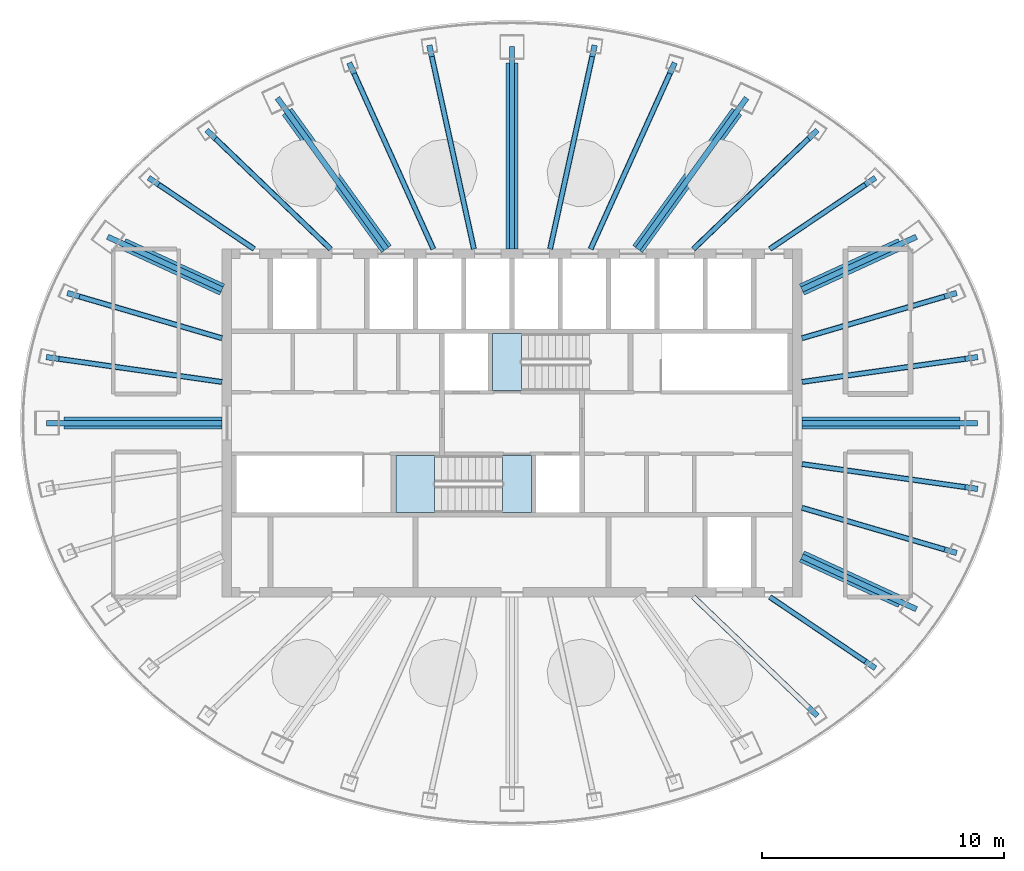
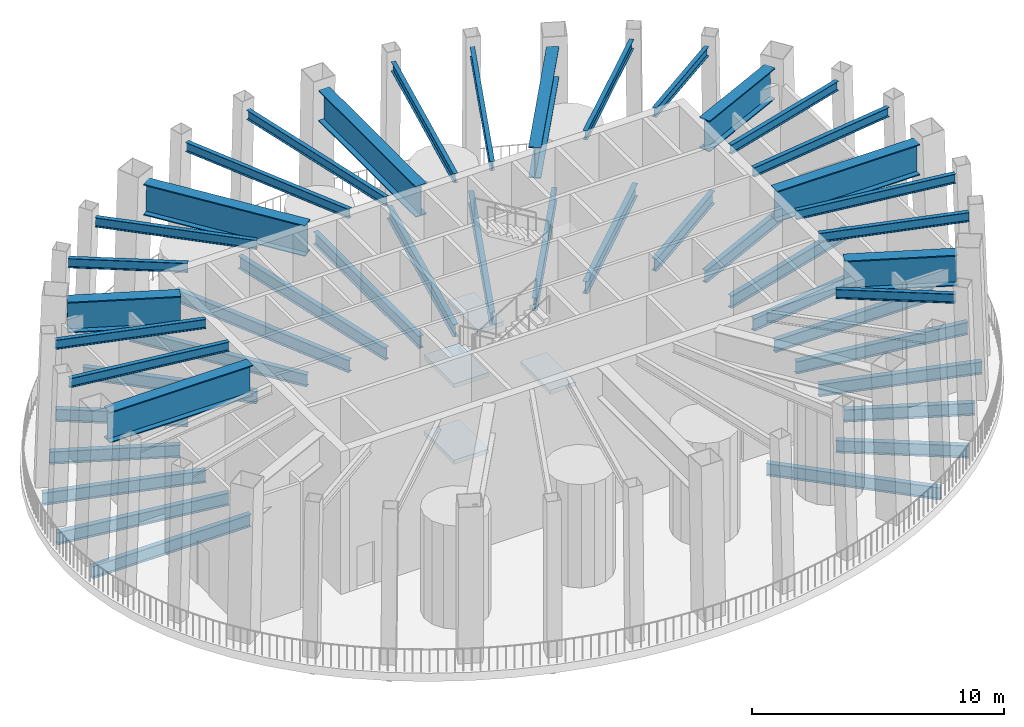
# One storey, part 2 of 12: 47 beams, 4 slabs, 2 elements without a shape of their own.
"""IFC4 building model written with IfcOpenShell, lengths in metres."""

from ifc_helpers import new_model, si_unit, direction, frame, origin, origin_2d, place, context, subcontext, project, spatial, polyline, i_section, outline, extrude, material, layer, layer_set, material_profile, profile_set, type_object, element, aggregate, save


model = new_model("IFC4")

# Units and contexts
model_context = context("Model", 3, precision=1e-05, world=origin(), true_north=direction((0.0, 1.0)))
body_context = subcontext(model_context, "Body", "Model", "MODEL_VIEW")
ifc_project = project(units=[si_unit("LENGTHUNIT", "METRE"), si_unit("AREAUNIT", "SQUARE_METRE"), si_unit("VOLUMEUNIT", "CUBIC_METRE"), si_unit("PLANEANGLEUNIT", "RADIAN"), si_unit("MASSUNIT", "GRAM", prefix="KILO")], contexts=[model_context])

# Site, building, storey
site_placement = place(None, origin())
site = spatial("IfcSite", under=ifc_project, at=site_placement, CompositionType="ELEMENT")
building_placement = place(site_placement, origin())
building = spatial("IfcBuilding", under=site, at=building_placement, Name="Siaravel Broadcast Tower", CompositionType="ELEMENT")
storey_placement = place(building_placement, frame((0.0, 0.0, 265.199951171875)))
storey = spatial("IfcBuildingStorey", under=building, at=storey_placement, Name="L65", CompositionType="ELEMENT", Elevation=265.199951171875)

# Beams
ifc_material_1 = material(Name="Steel S355", Category="steel")
ifc_material_profile_1 = material_profile(ifc_material_1, i_section(OverallWidth=0.2275390625, OverallDepth=0.6025390625, WebThickness=0.010498046875, FlangeThickness=0.014892578125, FilletRadius=0.0126953125, at=origin_2d()))
ifc_profile_set_1 = profile_set([ifc_material_profile_1], Name="Steel S355")
beam_type_1 = type_object("IfcBeamType", Name="BM-UB 610x229x101", PredefinedType="BEAM", material=ifc_profile_set_1)
beam_1_placement = place(storey_placement, frame((19.263427734375, 0.0, -0.701171875), z_axis=(-1.0, 0.0, 0.0), x_axis=(0.0, -1.0, 0.0)))
element("IfcBeam", 1, at=beam_1_placement, inside=storey, type_object=beam_type_1, Name="Radial beam RB01", PredefinedType="BEAM", context=body_context, shape_type="SweptSolid", body=[
    extrude(i_section(OverallWidth=0.2275390625, OverallDepth=0.6025390625, WebThickness=0.010498046875, FlangeThickness=0.014892578125, FilletRadius=0.0126953125, at=origin_2d()), origin(), (0.0, 0.0, 1.0), 7.263427734375),
])
beam_2_placement = place(storey_placement, frame((19.27197265625, 2.72802734375, -0.701171875), z_axis=(-0.990130836, -0.140146096, 0.0), x_axis=(0.140146096, -0.990130836, 0.0)))
element("IfcBeam", 2, at=beam_2_placement, inside=storey, type_object=beam_type_1, Name="Radial beam RB02", PredefinedType="BEAM", context=body_context, shape_type="SweptSolid", body=[
    extrude(i_section(OverallWidth=0.2275390625, OverallDepth=0.6025390625, WebThickness=0.010498046875, FlangeThickness=0.014892578125, FilletRadius=0.0126953125, at=origin_2d()), origin(), (0.0, 0.0, 1.0), 7.344482421875),
])
beam_3_placement = place(storey_placement, frame((18.404296875, 5.3798828125, -0.701171875), z_axis=(-0.959832627, -0.280573215, 0.0), x_axis=(0.280573215, -0.959832627, 0.0)))
element("IfcBeam", 3, at=beam_3_placement, inside=storey, type_object=beam_type_1, Name="Radial beam RB03", PredefinedType="BEAM", context=body_context, shape_type="SweptSolid", body=[
    extrude(i_section(OverallWidth=0.2275390625, OverallDepth=0.6025390625, WebThickness=0.010498046875, FlangeThickness=0.014892578125, FilletRadius=0.0126953125, at=origin_2d()), origin(), (0.0, 0.0, 1.0), 6.67236328125),
])
beam_4_placement = place(storey_placement, frame((16.736083984375, 7.706298828125, -0.701171875), z_axis=(-0.908322208, -0.418271163, 0.0), x_axis=(0.418271163, -0.908322208, 0.0)))
element("IfcBeam", 4, at=beam_4_placement, inside=storey, type_object=beam_type_1, Name="Radial beam RB04", PredefinedType="BEAM", context=body_context, shape_type="SweptSolid", body=[
    extrude(i_section(OverallWidth=0.2275390625, OverallDepth=0.6025390625, WebThickness=0.010498046875, FlangeThickness=0.014892578125, FilletRadius=0.0126953125, at=origin_2d()), origin(), (0.0, 0.0, 1.0), 5.214111328125),
])
beam_5_placement = place(storey_placement, frame((15.04052734375, 10.149169921875, -0.701171875), z_axis=(-0.828931332, -0.559350379, 0.0), x_axis=(0.559350379, -0.828931332, 0.0)))
element("IfcBeam", 5, at=beam_5_placement, inside=storey, type_object=beam_type_1, Name="Radial beam RB05", PredefinedType="BEAM", context=body_context, shape_type="SweptSolid", body=[
    extrude(i_section(OverallWidth=0.2275390625, OverallDepth=0.6025390625, WebThickness=0.010498046875, FlangeThickness=0.014892578125, FilletRadius=0.0126953125, at=origin_2d()), origin(), (0.0, 0.0, 1.0), 5.2724609375),
])
beam_6_placement = place(storey_placement, frame((12.63623046875, 12.118408203125, -0.701171875), z_axis=(-0.72172641, -0.692178437, 0.0), x_axis=(0.692178437, -0.72172641, 0.0)))
element("IfcBeam", 6, at=beam_6_placement, inside=storey, type_object=beam_type_1, Name="Radial beam RB06", PredefinedType="BEAM", context=body_context, shape_type="SweptSolid", body=[
    extrude(i_section(OverallWidth=0.2275390625, OverallDepth=0.6025390625, WebThickness=0.010498046875, FlangeThickness=0.014892578125, FilletRadius=0.0126953125, at=origin_2d()), origin(), (0.0, 0.0, 1.0), 7.105712890625),
])
beam_7_placement = place(storey_placement, frame((9.71142578125, 13.450927734375, -0.701171875), z_axis=(-0.585349492, -0.810781087, 0.0), x_axis=(0.810781087, -0.585349492, 0.0)))
element("IfcBeam", 7, at=beam_7_placement, inside=storey, type_object=beam_type_1, Name="Radial beam RB07", PredefinedType="BEAM", context=body_context, shape_type="SweptSolid", body=[
    extrude(i_section(OverallWidth=0.2275390625, OverallDepth=0.6025390625, WebThickness=0.010498046875, FlangeThickness=0.014892578125, FilletRadius=0.0126953125, at=origin_2d()), origin(), (0.0, 0.0, 1.0), 7.709716796875),
])
beam_8_placement = place(storey_placement, frame((6.736083984375, 14.907470703125, -0.701171875), z_axis=(-0.411768466, -0.9112885, 0.0), x_axis=(0.9112885, -0.411768466, 0.0)))
element("IfcBeam", 8, at=beam_8_placement, inside=storey, type_object=beam_type_1, Name="Radial beam RB08", PredefinedType="BEAM", context=body_context, shape_type="SweptSolid", body=[
    extrude(i_section(OverallWidth=0.2275390625, OverallDepth=0.6025390625, WebThickness=0.010498046875, FlangeThickness=0.014892578125, FilletRadius=0.0126953125, at=origin_2d()), origin(), (0.0, 0.0, 1.0), 8.457763671875),
])
beam_9_placement = place(storey_placement, frame((3.421630859375, 15.634765625, -0.701171875), z_axis=(-0.213788792, -0.976879907, 0.0), x_axis=(0.976879907, -0.213788792, 0.0)))
element("IfcBeam", 9, at=beam_9_placement, inside=storey, type_object=beam_type_1, Name="Radial beam RB09", PredefinedType="BEAM", context=body_context, shape_type="SweptSolid", body=[
    extrude(i_section(OverallWidth=0.2275390625, OverallDepth=0.6025390625, WebThickness=0.010498046875, FlangeThickness=0.014892578125, FilletRadius=0.0126953125, at=origin_2d()), origin(), (0.0, 0.0, 1.0), 8.634521484375),
])
beam_10_placement = place(storey_placement, frame((0.0, 15.580078125, -0.701171875), z_axis=(0.0, -1.0, 0.0), x_axis=(1.0, 0.0, 0.0)))
element("IfcBeam", 10, at=beam_10_placement, inside=storey, type_object=beam_type_1, Name="Radial beam RB10", PredefinedType="BEAM", context=body_context, shape_type="SweptSolid", body=[
    extrude(i_section(OverallWidth=0.2275390625, OverallDepth=0.6025390625, WebThickness=0.010498046875, FlangeThickness=0.014892578125, FilletRadius=0.0126953125, at=origin_2d()), origin(), (0.0, 0.0, 1.0), 8.380126953125),
])
beam_11_placement = place(storey_placement, frame((-3.421630859375, 15.634765625, -0.701171875), z_axis=(0.213788792, -0.976879907, 0.0), x_axis=(0.976879907, 0.213788792, 0.0)))
element("IfcBeam", 11, at=beam_11_placement, inside=storey, type_object=beam_type_1, Name="Radial beam RB11", PredefinedType="BEAM", context=body_context, shape_type="SweptSolid", body=[
    extrude(i_section(OverallWidth=0.2275390625, OverallDepth=0.6025390625, WebThickness=0.010498046875, FlangeThickness=0.014892578125, FilletRadius=0.0126953125, at=origin_2d()), origin(), (0.0, 0.0, 1.0), 8.634521484375),
])
beam_12_placement = place(storey_placement, frame((-6.736083984375, 14.907470703125, -0.701171875), z_axis=(0.411768466, -0.9112885, 0.0), x_axis=(0.9112885, 0.411768466, 0.0)))
element("IfcBeam", 12, at=beam_12_placement, inside=storey, type_object=beam_type_1, Name="Radial beam RB12", PredefinedType="BEAM", context=body_context, shape_type="SweptSolid", body=[
    extrude(i_section(OverallWidth=0.2275390625, OverallDepth=0.6025390625, WebThickness=0.010498046875, FlangeThickness=0.014892578125, FilletRadius=0.0126953125, at=origin_2d()), origin(), (0.0, 0.0, 1.0), 8.457763671875),
])
beam_13_placement = place(storey_placement, frame((-9.71142578125, 13.450927734375, -0.701171875), z_axis=(0.585349492, -0.810781087, 0.0), x_axis=(0.810781087, 0.585349492, 0.0)))
element("IfcBeam", 13, at=beam_13_placement, inside=storey, type_object=beam_type_1, Name="Radial beam RB13", PredefinedType="BEAM", context=body_context, shape_type="SweptSolid", body=[
    extrude(i_section(OverallWidth=0.2275390625, OverallDepth=0.6025390625, WebThickness=0.010498046875, FlangeThickness=0.014892578125, FilletRadius=0.0126953125, at=origin_2d()), origin(), (0.0, 0.0, 1.0), 7.709716796875),
])
beam_14_placement = place(storey_placement, frame((-12.63623046875, 12.118408203125, -0.701171875), z_axis=(0.72172641, -0.692178437, 0.0), x_axis=(0.692178437, 0.72172641, 0.0)))
element("IfcBeam", 14, at=beam_14_placement, inside=storey, type_object=beam_type_1, Name="Radial beam RB14", PredefinedType="BEAM", context=body_context, shape_type="SweptSolid", body=[
    extrude(i_section(OverallWidth=0.2275390625, OverallDepth=0.6025390625, WebThickness=0.010498046875, FlangeThickness=0.014892578125, FilletRadius=0.0126953125, at=origin_2d()), origin(), (0.0, 0.0, 1.0), 7.105712890625),
])
beam_15_placement = place(storey_placement, frame((-15.04052734375, 10.149169921875, -0.701171875), z_axis=(0.828931332, -0.559350379, 0.0), x_axis=(0.559350379, 0.828931332, 0.0)))
element("IfcBeam", 15, at=beam_15_placement, inside=storey, type_object=beam_type_1, Name="Radial beam RB15", PredefinedType="BEAM", context=body_context, shape_type="SweptSolid", body=[
    extrude(i_section(OverallWidth=0.2275390625, OverallDepth=0.6025390625, WebThickness=0.010498046875, FlangeThickness=0.014892578125, FilletRadius=0.0126953125, at=origin_2d()), origin(), (0.0, 0.0, 1.0), 5.2724609375),
])
beam_16_placement = place(storey_placement, frame((-16.736083984375, 7.706298828125, -0.701171875), z_axis=(0.908322208, -0.418271163, 0.0), x_axis=(0.418271163, 0.908322208, 0.0)))
element("IfcBeam", 16, at=beam_16_placement, inside=storey, type_object=beam_type_1, Name="Radial beam RB16", PredefinedType="BEAM", context=body_context, shape_type="SweptSolid", body=[
    extrude(i_section(OverallWidth=0.2275390625, OverallDepth=0.6025390625, WebThickness=0.010498046875, FlangeThickness=0.014892578125, FilletRadius=0.0126953125, at=origin_2d()), origin(), (0.0, 0.0, 1.0), 5.214111328125),
])
beam_17_placement = place(storey_placement, frame((-18.404296875, 5.3798828125, -0.701171875), z_axis=(0.959832627, -0.280573215, 0.0), x_axis=(0.280573215, 0.959832627, 0.0)))
element("IfcBeam", 17, at=beam_17_placement, inside=storey, type_object=beam_type_1, Name="Radial beam RB17", PredefinedType="BEAM", context=body_context, shape_type="SweptSolid", body=[
    extrude(i_section(OverallWidth=0.2275390625, OverallDepth=0.6025390625, WebThickness=0.010498046875, FlangeThickness=0.014892578125, FilletRadius=0.0126953125, at=origin_2d()), origin(), (0.0, 0.0, 1.0), 6.67236328125),
])
beam_18_placement = place(storey_placement, frame((-19.27197265625, 2.72802734375, -0.701171875), z_axis=(0.990130836, -0.140146096, 0.0), x_axis=(0.140146096, 0.990130836, 0.0)))
element("IfcBeam", 18, at=beam_18_placement, inside=storey, type_object=beam_type_1, Name="Radial beam RB18", PredefinedType="BEAM", context=body_context, shape_type="SweptSolid", body=[
    extrude(i_section(OverallWidth=0.2275390625, OverallDepth=0.6025390625, WebThickness=0.010498046875, FlangeThickness=0.014892578125, FilletRadius=0.0126953125, at=origin_2d()), origin(), (0.0, 0.0, 1.0), 7.344482421875),
])
beam_19_placement = place(storey_placement, frame((-19.263427734375, 0.0, -0.701171875), z_axis=(1.0, 0.0, 0.0), x_axis=(0.0, 1.0, 0.0)))
element("IfcBeam", 19, at=beam_19_placement, inside=storey, type_object=beam_type_1, Name="Radial beam RB19", PredefinedType="BEAM", context=body_context, shape_type="SweptSolid", body=[
    extrude(i_section(OverallWidth=0.2275390625, OverallDepth=0.6025390625, WebThickness=0.010498046875, FlangeThickness=0.014892578125, FilletRadius=0.0126953125, at=origin_2d()), origin(), (0.0, 0.0, 1.0), 7.263427734375),
])
beam_20_placement = place(storey_placement, frame((12.63623046875, -12.118408203125, -0.701171875), z_axis=(-0.72172641, 0.692178437, 0.0), x_axis=(-0.692178437, -0.72172641, 0.0)))
element("IfcBeam", 20, at=beam_20_placement, inside=storey, type_object=beam_type_1, Name="Radial beam RB32", PredefinedType="BEAM", context=body_context, shape_type="SweptSolid", body=[
    extrude(i_section(OverallWidth=0.2275390625, OverallDepth=0.6025390625, WebThickness=0.010498046875, FlangeThickness=0.014892578125, FilletRadius=0.0126953125, at=origin_2d()), origin(), (0.0, 0.0, 1.0), 7.105712890625),
])
beam_21_placement = place(storey_placement, frame((15.04052734375, -10.149169921875, -0.701171875), z_axis=(-0.828931332, 0.559350379, 0.0), x_axis=(-0.559350379, -0.828931332, 0.0)))
element("IfcBeam", 21, at=beam_21_placement, inside=storey, type_object=beam_type_1, Name="Radial beam RB33", PredefinedType="BEAM", context=body_context, shape_type="SweptSolid", body=[
    extrude(i_section(OverallWidth=0.2275390625, OverallDepth=0.6025390625, WebThickness=0.010498046875, FlangeThickness=0.014892578125, FilletRadius=0.0126953125, at=origin_2d()), origin(), (0.0, 0.0, 1.0), 5.2724609375),
])
beam_22_placement = place(storey_placement, frame((16.736083984375, -7.706298828125, -0.701171875), z_axis=(-0.908322208, 0.418271163, 0.0), x_axis=(-0.418271163, -0.908322208, 0.0)))
element("IfcBeam", 22, at=beam_22_placement, inside=storey, type_object=beam_type_1, Name="Radial beam RB34", PredefinedType="BEAM", context=body_context, shape_type="SweptSolid", body=[
    extrude(i_section(OverallWidth=0.2275390625, OverallDepth=0.6025390625, WebThickness=0.010498046875, FlangeThickness=0.014892578125, FilletRadius=0.0126953125, at=origin_2d()), origin(), (0.0, 0.0, 1.0), 5.214111328125),
])
beam_23_placement = place(storey_placement, frame((18.404296875, -5.3798828125, -0.701171875), z_axis=(-0.959832627, 0.280573215, 0.0), x_axis=(-0.280573215, -0.959832627, 0.0)))
element("IfcBeam", 23, at=beam_23_placement, inside=storey, type_object=beam_type_1, Name="Radial beam RB35", PredefinedType="BEAM", context=body_context, shape_type="SweptSolid", body=[
    extrude(i_section(OverallWidth=0.2275390625, OverallDepth=0.6025390625, WebThickness=0.010498046875, FlangeThickness=0.014892578125, FilletRadius=0.0126953125, at=origin_2d()), origin(), (0.0, 0.0, 1.0), 6.67236328125),
])
beam_24_placement = place(storey_placement, frame((19.27197265625, -2.72802734375, -0.701171875), z_axis=(-0.990130836, 0.140146096, 0.0), x_axis=(-0.140146096, -0.990130836, 0.0)))
element("IfcBeam", 24, at=beam_24_placement, inside=storey, type_object=beam_type_1, Name="Radial beam RB36", PredefinedType="BEAM", context=body_context, shape_type="SweptSolid", body=[
    extrude(i_section(OverallWidth=0.2275390625, OverallDepth=0.6025390625, WebThickness=0.010498046875, FlangeThickness=0.014892578125, FilletRadius=0.0126953125, at=origin_2d()), origin(), (0.0, 0.0, 1.0), 7.344482421875),
])
ifc_material_profile_2 = material_profile(ifc_material_1, i_section(OverallWidth=0.18994140625, OverallDepth=0.453369140625, WebThickness=0.008544921875, FlangeThickness=0.0126953125, FilletRadius=0.01025390625, at=origin_2d()))
ifc_profile_set_2 = profile_set([ifc_material_profile_2], Name="Steel S355")
beam_type_2 = type_object("IfcBeamType", Name="Crown radial beam UB 457x191x67", PredefinedType="BEAM", material=ifc_profile_set_2)
beam_25_placement = place(storey_placement, frame((18.75244140625, 2.65380859375, 6.67333984375), z_axis=(-0.990134792, -0.140118142, 0.0), x_axis=(0.140118142, -0.990134792, 0.0)))
element("IfcBeam", 25, at=beam_25_placement, inside=storey, type_object=beam_type_2, Name="Terrace radial beam 02", PredefinedType="BEAM", context=body_context, shape_type="SweptSolid", body=[
    extrude(i_section(OverallWidth=0.18994140625, OverallDepth=0.453369140625, WebThickness=0.008544921875, FlangeThickness=0.0126953125, FilletRadius=0.01025390625, at=origin_2d()), origin(), (0.0, 0.0, 1.0), 6.81982421875),
])
beam_26_placement = place(storey_placement, frame((17.904541015625, 5.232666015625, 6.67333984375), z_axis=(-0.959850065, -0.280513552, 0.0), x_axis=(0.280513552, -0.959850065, 0.0)))
element("IfcBeam", 26, at=beam_26_placement, inside=storey, type_object=beam_type_2, Name="Terrace radial beam 03", PredefinedType="BEAM", context=body_context, shape_type="SweptSolid", body=[
    extrude(i_section(OverallWidth=0.18994140625, OverallDepth=0.453369140625, WebThickness=0.008544921875, FlangeThickness=0.0126953125, FilletRadius=0.01025390625, at=origin_2d()), origin(), (0.0, 0.0, 1.0), 6.151611328125),
])
beam_27_placement = place(storey_placement, frame((14.62060546875, 9.86328125, 6.67333984375), z_axis=(-0.829001381, -0.559246556, 0.0), x_axis=(0.559246556, -0.829001381, 0.0)))
element("IfcBeam", 27, at=beam_27_placement, inside=storey, type_object=beam_type_2, Name="Terrace radial beam 05", PredefinedType="BEAM", context=body_context, shape_type="SweptSolid", body=[
    extrude(i_section(OverallWidth=0.18994140625, OverallDepth=0.453369140625, WebThickness=0.008544921875, FlangeThickness=0.0126953125, FilletRadius=0.01025390625, at=origin_2d()), origin(), (0.0, 0.0, 1.0), 4.762451171875),
])
beam_28_placement = place(storey_placement, frame((12.276611328125, 11.770751953125, 6.67333984375), z_axis=(-0.72181121, -0.692090007, 0.0), x_axis=(0.692090007, -0.72181121, 0.0)))
element("IfcBeam", 28, at=beam_28_placement, inside=storey, type_object=beam_type_2, Name="Terrace radial beam 06", PredefinedType="BEAM", context=body_context, shape_type="SweptSolid", body=[
    extrude(i_section(OverallWidth=0.18994140625, OverallDepth=0.453369140625, WebThickness=0.008544921875, FlangeThickness=0.0126953125, FilletRadius=0.01025390625, at=origin_2d()), origin(), (0.0, 0.0, 1.0), 6.604248046875),
])
beam_29_placement = place(storey_placement, frame((6.537353515625, 14.46435546875, 6.67333984375), z_axis=(-0.411847642, -0.91125272, 0.0), x_axis=(0.91125272, -0.411847642, 0.0)))
element("IfcBeam", 29, at=beam_29_placement, inside=storey, type_object=beam_type_2, Name="Terrace radial beam 08", PredefinedType="BEAM", context=body_context, shape_type="SweptSolid", body=[
    extrude(i_section(OverallWidth=0.18994140625, OverallDepth=0.453369140625, WebThickness=0.008544921875, FlangeThickness=0.0126953125, FilletRadius=0.01025390625, at=origin_2d()), origin(), (0.0, 0.0, 1.0), 7.971923828125),
])
for number, where, z_axis, x_axis, name in (
    (30, (3.319580078125, 15.164306640625, 6.67333984375), (-0.213837979, -0.976869141, 0.0), (0.976869141, -0.213837979, 0.0), "Terrace radial beam 09"),
    (31, (-3.319580078125, 15.164306640625, 6.67333984375), (0.213837979, -0.976869141, 0.0), (0.976869141, 0.213837979, 0.0), "Terrace radial beam 11"),
):
    element("IfcBeam", number, at=place(storey_placement, frame(where, z_axis=z_axis, x_axis=x_axis)), inside=storey, type_object=beam_type_2, Name=name, PredefinedType="BEAM", context=body_context, shape_type="SweptSolid", body=[
        extrude(i_section(OverallWidth=0.18994140625, OverallDepth=0.453369140625, WebThickness=0.008544921875, FlangeThickness=0.0126953125, FilletRadius=0.01025390625, at=origin_2d()), origin(), (0.0, 0.0, 1.0), 8.15283203125),
    ])
beam_30_placement = place(storey_placement, frame((-6.537353515625, 14.46435546875, 6.67333984375), z_axis=(0.411847642, -0.91125272, 0.0), x_axis=(0.91125272, 0.411847642, 0.0)))
element("IfcBeam", 32, at=beam_30_placement, inside=storey, type_object=beam_type_2, Name="Terrace radial beam 12", PredefinedType="BEAM", context=body_context, shape_type="SweptSolid", body=[
    extrude(i_section(OverallWidth=0.18994140625, OverallDepth=0.453369140625, WebThickness=0.008544921875, FlangeThickness=0.0126953125, FilletRadius=0.01025390625, at=origin_2d()), origin(), (0.0, 0.0, 1.0), 7.971923828125),
])
beam_31_placement = place(storey_placement, frame((-12.276611328125, 11.770751953125, 6.67333984375), z_axis=(0.72181121, -0.692090007, 0.0), x_axis=(0.692090007, 0.72181121, 0.0)))
element("IfcBeam", 33, at=beam_31_placement, inside=storey, type_object=beam_type_2, Name="Terrace radial beam 14", PredefinedType="BEAM", context=body_context, shape_type="SweptSolid", body=[
    extrude(i_section(OverallWidth=0.18994140625, OverallDepth=0.453369140625, WebThickness=0.008544921875, FlangeThickness=0.0126953125, FilletRadius=0.01025390625, at=origin_2d()), origin(), (0.0, 0.0, 1.0), 6.604248046875),
])
beam_32_placement = place(storey_placement, frame((-14.62060546875, 9.86328125, 6.67333984375), z_axis=(0.829001381, -0.559246556, 0.0), x_axis=(0.559246556, 0.829001381, 0.0)))
element("IfcBeam", 34, at=beam_32_placement, inside=storey, type_object=beam_type_2, Name="Terrace radial beam 15", PredefinedType="BEAM", context=body_context, shape_type="SweptSolid", body=[
    extrude(i_section(OverallWidth=0.18994140625, OverallDepth=0.453369140625, WebThickness=0.008544921875, FlangeThickness=0.0126953125, FilletRadius=0.01025390625, at=origin_2d()), origin(), (0.0, 0.0, 1.0), 4.762451171875),
])
beam_33_placement = place(storey_placement, frame((-17.904541015625, 5.232666015625, 6.67333984375), z_axis=(0.959850065, -0.280513552, 0.0), x_axis=(0.280513552, 0.959850065, 0.0)))
element("IfcBeam", 35, at=beam_33_placement, inside=storey, type_object=beam_type_2, Name="Terrace radial beam 17", PredefinedType="BEAM", context=body_context, shape_type="SweptSolid", body=[
    extrude(i_section(OverallWidth=0.18994140625, OverallDepth=0.453369140625, WebThickness=0.008544921875, FlangeThickness=0.0126953125, FilletRadius=0.01025390625, at=origin_2d()), origin(), (0.0, 0.0, 1.0), 6.151611328125),
])
beam_34_placement = place(storey_placement, frame((-18.75244140625, 2.65380859375, 6.67333984375), z_axis=(0.990134792, -0.140118142, 0.0), x_axis=(0.140118142, 0.990134792, 0.0)))
element("IfcBeam", 36, at=beam_34_placement, inside=storey, type_object=beam_type_2, Name="Terrace radial beam 18", PredefinedType="BEAM", context=body_context, shape_type="SweptSolid", body=[
    extrude(i_section(OverallWidth=0.18994140625, OverallDepth=0.453369140625, WebThickness=0.008544921875, FlangeThickness=0.0126953125, FilletRadius=0.01025390625, at=origin_2d()), origin(), (0.0, 0.0, 1.0), 6.81982421875),
])
beam_35_placement = place(storey_placement, frame((14.62060546875, -9.86328125, 6.67333984375), z_axis=(-0.829001381, 0.559246556, 0.0), x_axis=(-0.559246556, -0.829001381, 0.0)))
element("IfcBeam", 37, at=beam_35_placement, inside=storey, type_object=beam_type_2, Name="Terrace radial beam 33", PredefinedType="BEAM", context=body_context, shape_type="SweptSolid", body=[
    extrude(i_section(OverallWidth=0.18994140625, OverallDepth=0.453369140625, WebThickness=0.008544921875, FlangeThickness=0.0126953125, FilletRadius=0.01025390625, at=origin_2d()), origin(), (0.0, 0.0, 1.0), 4.762451171875),
])
beam_36_placement = place(storey_placement, frame((17.904541015625, -5.232666015625, 6.67333984375), z_axis=(-0.959850065, 0.280513552, 0.0), x_axis=(-0.280513552, -0.959850065, 0.0)))
element("IfcBeam", 38, at=beam_36_placement, inside=storey, type_object=beam_type_2, Name="Terrace radial beam 35", PredefinedType="BEAM", context=body_context, shape_type="SweptSolid", body=[
    extrude(i_section(OverallWidth=0.18994140625, OverallDepth=0.453369140625, WebThickness=0.008544921875, FlangeThickness=0.0126953125, FilletRadius=0.01025390625, at=origin_2d()), origin(), (0.0, 0.0, 1.0), 6.151611328125),
])
beam_37_placement = place(storey_placement, frame((18.75244140625, -2.65380859375, 6.67333984375), z_axis=(-0.990134792, 0.140118142, 0.0), x_axis=(-0.140118142, -0.990134792, 0.0)))
element("IfcBeam", 39, at=beam_37_placement, inside=storey, type_object=beam_type_2, Name="Terrace radial beam 36", PredefinedType="BEAM", context=body_context, shape_type="SweptSolid", body=[
    extrude(i_section(OverallWidth=0.18994140625, OverallDepth=0.453369140625, WebThickness=0.008544921875, FlangeThickness=0.0126953125, FilletRadius=0.01025390625, at=origin_2d()), origin(), (0.0, 0.0, 1.0), 6.81982421875),
])
ifc_material_2 = material(Name="Steel S460", Category="steel")
ifc_material_profile_3 = material_profile(ifc_material_2, i_section(OverallWidth=0.5, OverallDepth=1.5, WebThickness=0.02490234375, FlangeThickness=0.050048828125, at=origin_2d()))
ifc_profile_set_3 = profile_set([ifc_material_profile_3], Name="Steel S460")
beam_type_3 = type_object("IfcBeamType", Name="Crown transfer beam PG 1500x500x25/50", PredefinedType="BEAM", material=ifc_profile_set_3)
beam_38_placement = place(storey_placement, frame((18.537353515625, 0.0, 6.150146484375), z_axis=(-1.0, 0.0, 0.0), x_axis=(0.0, -1.0, 0.0)))
element("IfcBeam", 40, at=beam_38_placement, inside=storey, type_object=beam_type_3, Name="Crown transfer beam 01", PredefinedType="BEAM", context=body_context, shape_type="SweptSolid", body=[
    extrude(i_section(OverallWidth=0.5, OverallDepth=1.5, WebThickness=0.02490234375, FlangeThickness=0.050048828125, at=origin_2d()), origin(), (0.0, 0.0, 1.0), 6.537353515625),
])
beam_39_placement = place(storey_placement, frame((16.08740234375, 7.40478515625, 6.150146484375), z_axis=(-0.908394021, -0.418115179, 0.0), x_axis=(0.418115179, -0.908394021, 0.0)))
element("IfcBeam", 41, at=beam_39_placement, inside=storey, type_object=beam_type_3, Name="Crown transfer beam 04", PredefinedType="BEAM", context=body_context, shape_type="SweptSolid", body=[
    extrude(i_section(OverallWidth=0.5, OverallDepth=1.5, WebThickness=0.02490234375, FlangeThickness=0.050048828125, at=origin_2d()), origin(), (0.0, 0.0, 1.0), 4.49951171875),
])
beam_40_placement = place(storey_placement, frame((9.30810546875, 12.88818359375, 6.150146484375), z_axis=(-0.585489283, -0.810680146, 0.0), x_axis=(0.810680146, -0.585489283, 0.0)))
element("IfcBeam", 42, at=beam_40_placement, inside=storey, type_object=beam_type_3, Name="Crown transfer beam 07", PredefinedType="BEAM", context=body_context, shape_type="SweptSolid", body=[
    extrude(i_section(OverallWidth=0.5, OverallDepth=1.5, WebThickness=0.02490234375, FlangeThickness=0.050048828125, at=origin_2d()), origin(), (0.0, 0.0, 1.0), 7.0166015625),
])
beam_41_placement = place(storey_placement, frame((0.0, 14.900146484375, 6.150146484375), z_axis=(0.0, -1.0, 0.0), x_axis=(1.0, 0.0, 0.0)))
element("IfcBeam", 43, at=beam_41_placement, inside=storey, type_object=beam_type_3, Name="Crown transfer beam 10", PredefinedType="BEAM", context=body_context, shape_type="SweptSolid", body=[
    extrude(i_section(OverallWidth=0.5, OverallDepth=1.5, WebThickness=0.02490234375, FlangeThickness=0.050048828125, at=origin_2d()), origin(), (0.0, 0.0, 1.0), 7.7001953125),
])
beam_42_placement = place(storey_placement, frame((-9.30810546875, 12.88818359375, 6.150146484375), z_axis=(0.585489283, -0.810680146, 0.0), x_axis=(0.810680146, 0.585489283, 0.0)))
element("IfcBeam", 44, at=beam_42_placement, inside=storey, type_object=beam_type_3, Name="Crown transfer beam 13", PredefinedType="BEAM", context=body_context, shape_type="SweptSolid", body=[
    extrude(i_section(OverallWidth=0.5, OverallDepth=1.5, WebThickness=0.02490234375, FlangeThickness=0.050048828125, at=origin_2d()), origin(), (0.0, 0.0, 1.0), 7.0166015625),
])
beam_43_placement = place(storey_placement, frame((-16.08740234375, 7.40478515625, 6.150146484375), z_axis=(0.908394021, -0.418115179, 0.0), x_axis=(0.418115179, 0.908394021, 0.0)))
element("IfcBeam", 45, at=beam_43_placement, inside=storey, type_object=beam_type_3, Name="Crown transfer beam 16", PredefinedType="BEAM", context=body_context, shape_type="SweptSolid", body=[
    extrude(i_section(OverallWidth=0.5, OverallDepth=1.5, WebThickness=0.02490234375, FlangeThickness=0.050048828125, at=origin_2d()), origin(), (0.0, 0.0, 1.0), 4.49951171875),
])
beam_44_placement = place(storey_placement, frame((-18.537353515625, 0.0, 6.150146484375), z_axis=(1.0, 0.0, 0.0), x_axis=(0.0, 1.0, 0.0)))
element("IfcBeam", 46, at=beam_44_placement, inside=storey, type_object=beam_type_3, Name="Crown transfer beam 19", PredefinedType="BEAM", context=body_context, shape_type="SweptSolid", body=[
    extrude(i_section(OverallWidth=0.5, OverallDepth=1.5, WebThickness=0.02490234375, FlangeThickness=0.050048828125, at=origin_2d()), origin(), (0.0, 0.0, 1.0), 6.537353515625),
])
beam_45_placement = place(storey_placement, frame((16.08740234375, -7.40478515625, 6.150146484375), z_axis=(-0.908394021, 0.418115179, 0.0), x_axis=(-0.418115179, -0.908394021, 0.0)))
element("IfcBeam", 47, at=beam_45_placement, inside=storey, type_object=beam_type_3, Name="Crown transfer beam 34", PredefinedType="BEAM", context=body_context, shape_type="SweptSolid", body=[
    extrude(i_section(OverallWidth=0.5, OverallDepth=1.5, WebThickness=0.02490234375, FlangeThickness=0.050048828125, at=origin_2d()), origin(), (0.0, 0.0, 1.0), 4.49951171875),
])

# Stair, slab
ifc_material_3 = material(Name="Concrete C40/50", Category="concrete")
stair_type = type_object("IfcStairType", Name="Core exit stair", PredefinedType="HALF_TURN_STAIR", material=ifc_material_3)
stair_1_placement = place(storey_placement, origin())
stair_1 = element("IfcStair", 48, at=stair_1_placement, inside=storey, type_object=stair_type, Name="L65 Exit stair ST-C1", PredefinedType="HALF_TURN_STAIR")
ifc_layer = layer(ifc_material_3, 0.199951171875)
ifc_layer_set = layer_set([ifc_layer], Name="Concrete C40/50")
slab_type = type_object("IfcSlabType", Name="Stair landing", PredefinedType="LANDING", material=ifc_layer_set)
slab_1_placement = place(storey_placement, frame((0.0, 0.0, 3.5)))
slab_1 = element("IfcSlab", 49, at=slab_1_placement, type_object=slab_type, Name="ST-C1 landing 2", PredefinedType="LANDING", context=body_context, shape_type="SweptSolid", body=[
    extrude(outline(polyline([(-0.800048828125, 1.35009765625), (0.39990234375, 1.35009765625), (0.39990234375, 3.699951171875), (-0.800048828125, 3.699951171875), (-0.800048828125, 1.35009765625)])), origin(), (0.0, 0.0, 1.0), 0.199951171875),
])
aggregate(stair_1, [slab_1])

# Stair, slabs
stair_2_placement = place(storey_placement, origin())
stair_2 = element("IfcStair", 50, at=stair_2_placement, inside=storey, type_object=stair_type, Name="L65 Exit stair ST-C2", PredefinedType="HALF_TURN_STAIR")
slab_2_placement = place(storey_placement, frame((0.0, 0.0, 1.650146484375)))
slab_2 = element("IfcSlab", 51, at=slab_2_placement, type_object=slab_type, Name="ST-C2 landing 1", PredefinedType="LANDING", context=body_context, shape_type="SweptSolid", body=[
    extrude(outline(polyline([(-3.199951171875, -1.35009765625), (-4.800048828125, -1.35009765625), (-4.800048828125, -3.699951171875), (-3.199951171875, -3.699951171875), (-3.199951171875, -1.35009765625)])), origin(), (0.0, 0.0, 1.0), 0.199951171875),
])
slab_3_placement = place(storey_placement, frame((0.0, 0.0, 3.5)))
slab_3 = element("IfcSlab", 52, at=slab_3_placement, type_object=slab_type, Name="ST-C2 landing 2", PredefinedType="LANDING", context=body_context, shape_type="SweptSolid", body=[
    extrude(outline(polyline([(0.800048828125, -1.35009765625), (-0.39990234375, -1.35009765625), (-0.39990234375, -3.699951171875), (0.800048828125, -3.699951171875), (0.800048828125, -1.35009765625)])), origin(), (0.0, 0.0, 1.0), 0.199951171875),
])
slab_4_placement = place(storey_placement, frame((0.0, 0.0, 5.35009765625)))
slab_4 = element("IfcSlab", 53, at=slab_4_placement, type_object=slab_type, Name="ST-C2 landing 3", PredefinedType="LANDING", context=body_context, shape_type="SweptSolid", body=[
    extrude(outline(polyline([(-3.199951171875, -1.35009765625), (-4.800048828125, -1.35009765625), (-4.800048828125, -3.699951171875), (-3.199951171875, -3.699951171875), (-3.199951171875, -1.35009765625)])), origin(), (0.0, 0.0, 1.0), 0.199951171875),
])
aggregate(stair_2, [slab_2, slab_3, slab_4])

save(model, "model.ifc")
